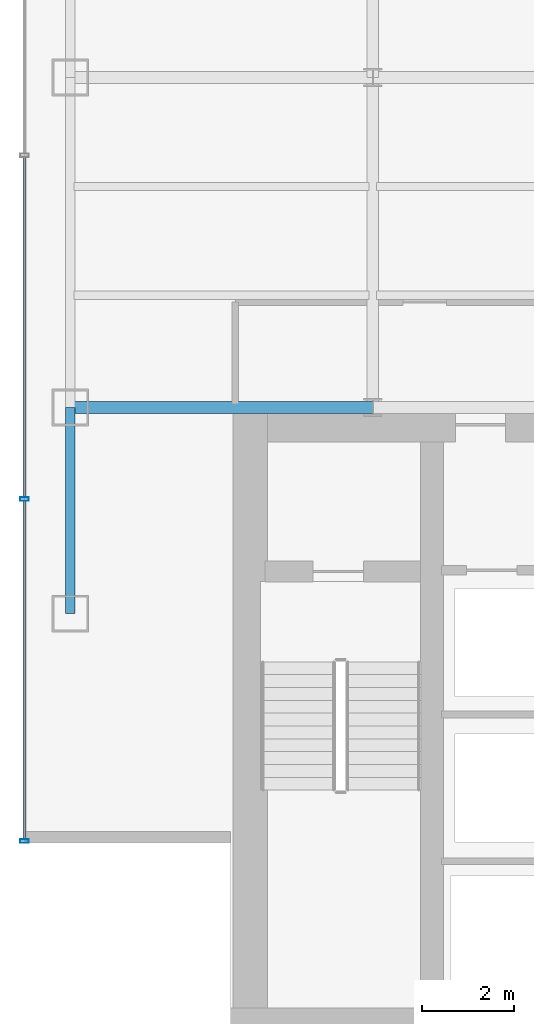
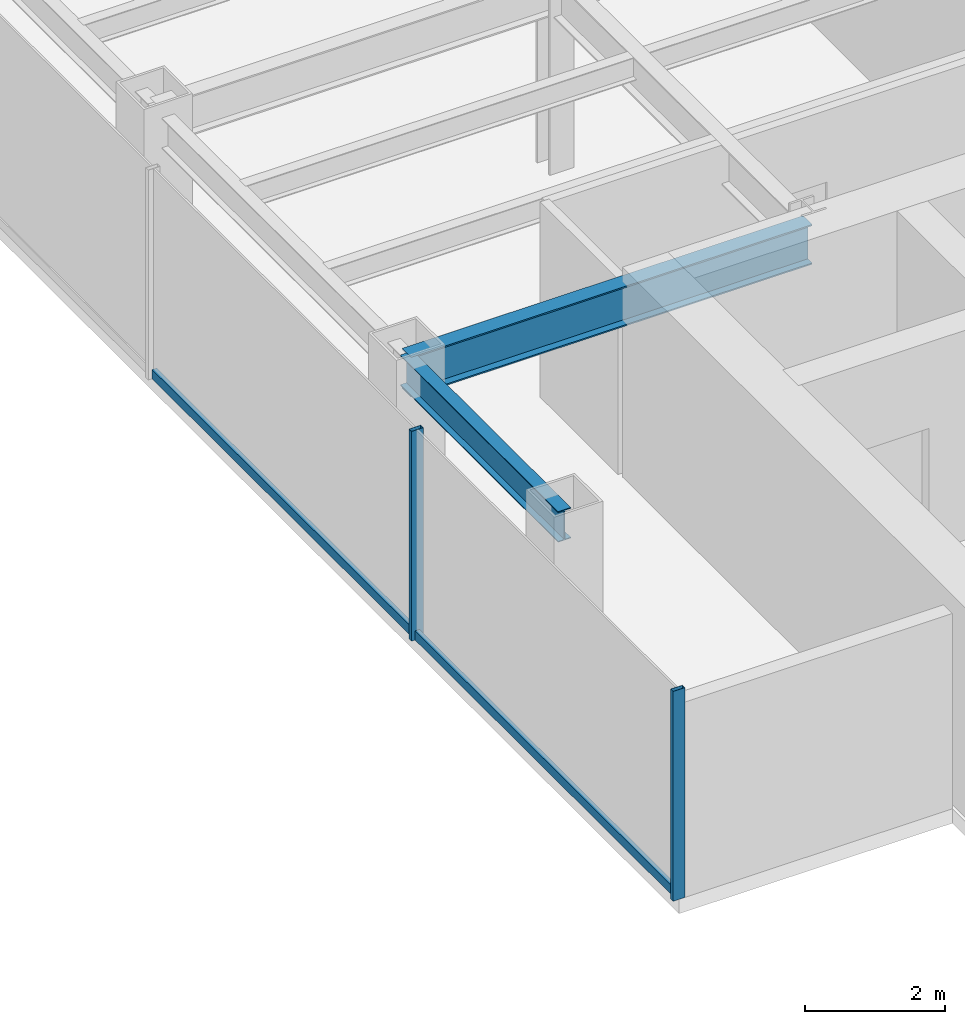
# One storey, part 2 of 26: 4 members, 2 beams, 1 element without a shape of its own.
"""IFC4 building model written with IfcOpenShell, lengths in metres."""

from ifc_helpers import new_model, si_unit, derived_unit, direction, frame, origin, origin_2d, place, context, subcontext, project, spatial, hollow_rectangle, i_section, extrude, source, transform, mapped, material, material_profile, profile_set, type_object, element, aggregate, save


model = new_model("IFC4")

# Units and contexts
model_context = context("Model", 3, precision=1e-05, world=origin(), true_north=direction((0.0, 1.0)))
body_context = subcontext(model_context, "Body", "Model", "MODEL_VIEW")
ifc_project = project(units=[si_unit("LENGTHUNIT", "METRE"), si_unit("AREAUNIT", "SQUARE_METRE"), si_unit("VOLUMEUNIT", "CUBIC_METRE"), si_unit("PLANEANGLEUNIT", "RADIAN"), si_unit("MASSUNIT", "GRAM", prefix="KILO"), derived_unit("THERMALTRANSMITTANCEUNIT", [(si_unit("POWERUNIT", "WATT"), 1), (si_unit("LENGTHUNIT", "METRE"), -2), (si_unit("THERMODYNAMICTEMPERATUREUNIT", "KELVIN"), -1)])], contexts=[model_context])

# Site, building, storey
site_placement = place(None, origin())
site = spatial("IfcSite", under=ifc_project, at=site_placement, CompositionType="ELEMENT")
building_placement = place(site_placement, origin())
building = spatial("IfcBuilding", under=site, at=building_placement, Name="Skarnbrae Concourse Arena and Tower", CompositionType="ELEMENT")
storey_placement = place(building_placement, frame((0.0, 0.0, 99.60009765625)))
storey = spatial("IfcBuildingStorey", under=building, at=storey_placement, Name="L24", CompositionType="ELEMENT", Elevation=99.60009765625)

# Beams
ifc_material_1 = material(Name="Steel CSA G40.21 350W", Category="steel")
ifc_material_profile_1 = material_profile(ifc_material_1, i_section(OverallWidth=0.256103515625, OverallDepth=0.693115234375, WebThickness=0.014404296875, FlangeThickness=0.023681640625, at=origin_2d()), Name="W690X170")
ifc_profile_set_1 = profile_set([ifc_material_profile_1], Name="Steel CSA G40.21 350W")
beam_type_1 = type_object("IfcBeamType", Name="BM-GIRD-W690X170", PredefinedType="BEAM", material=ifc_profile_set_1)
shared_shape_1 = source(origin(), body_context, "Body", "SweptSolid", [
    extrude(i_section(OverallWidth=0.256103515625, OverallDepth=0.693115234375, WebThickness=0.014404296875, FlangeThickness=0.023681640625, at=origin_2d()), origin(), (0.0, 0.0, 1.0), 6.60009765625),
])
beam_1_placement = place(storey_placement, frame((1.0, 14.0, 3.053466796875), z_axis=(1.0, 0.0, 0.0), x_axis=(0.0, 1.0, 0.0)))
element("IfcBeam", 1, at=beam_1_placement, inside=storey, type_object=beam_type_1, Name="L24 Primary E-W girder Y14.0-1", PredefinedType="BEAM", context=body_context, shape_type="MappedRepresentation", body=[
    mapped(shared_shape_1, transform((0.0, 0.0, 0.0))),
])
ifc_material_profile_2 = material_profile(ifc_material_1, i_section(OverallWidth=0.208984375, OverallDepth=0.532958984375, WebThickness=0.01025390625, FlangeThickness=0.015625, at=origin_2d()), Name="W530X92")
ifc_profile_set_2 = profile_set([ifc_material_profile_2], Name="Steel CSA G40.21 350W")
beam_type_2 = type_object("IfcBeamType", Name="BM-SPAN-W530X92", PredefinedType="SPANDREL", material=ifc_profile_set_2)
shared_shape_2 = source(origin(), body_context, "Body", "SweptSolid", [
    extrude(i_section(OverallWidth=0.208984375, OverallDepth=0.532958984375, WebThickness=0.01025390625, FlangeThickness=0.015625, at=origin_2d()), origin(), (0.0, 0.0, 1.0), 4.5),
])
beam_2_placement = place(storey_placement, frame((1.0, 9.5, 3.13330078125), z_axis=(0.0, 1.0, 0.0), x_axis=(-1.0, 0.0, 0.0)))
element("IfcBeam", 2, at=beam_2_placement, inside=storey, type_object=beam_type_2, Name="L24 Perimeter spandrel X1.0-1", PredefinedType="SPANDREL", context=body_context, shape_type="MappedRepresentation", body=[
    mapped(shared_shape_2, transform((0.0, 0.0, 0.0))),
])

# Curtain wall, members
ifc_material_2 = material(Name="Bronze anodised aluminium 6063-T6", Category="aluminium")
curtain_wall_type = type_object("IfcCurtainWallType", Name="CW-SYS-04-MIDZONE", PredefinedType="USERDEFINED", material=ifc_material_2)
curtain_wall_placement = place(storey_placement, origin())
curtain_wall = element("IfcCurtainWall", 3, at=curtain_wall_placement, inside=storey, type_object=curtain_wall_type, Name="L24 Unitised curtain wall CW-L24-E19", ObjectType="UNITISED CURTAIN WALL", PredefinedType="USERDEFINED")
ifc_material_profile_3 = material_profile(ifc_material_2, hollow_rectangle(XDim=0.074951171875, YDim=0.159912109375, WallThickness=0.00439453125, at=origin_2d()), Name="ALU-TRAN-75X160")
ifc_profile_set_3 = profile_set([ifc_material_profile_3], Name="Bronze anodised aluminium 6063-T6")
member_type_1 = type_object("IfcMemberType", Name="CWT-CW-04", PredefinedType="USERDEFINED", material=ifc_profile_set_3)
shared_shape_3 = source(origin(), body_context, "Body", "SweptSolid", [
    extrude(hollow_rectangle(XDim=0.074951171875, YDim=0.159912109375, WallThickness=0.00439453125, at=origin_2d()), origin(), (0.0, 0.0, 1.0), 7.387451171875),
])
member_1_placement = place(storey_placement, frame((0.0, 11.96240234375, 0.079833984375), z_axis=(0.0, -1.0, 0.0), x_axis=(1.0, 0.0, 0.0)))
member_1 = element("IfcMember", 4, at=member_1_placement, type_object=member_type_1, Name="CW-L24-E19 Transom 4", ObjectType="TRANSOM", PredefinedType="USERDEFINED", context=body_context, shape_type="MappedRepresentation", body=[
    mapped(shared_shape_3, transform((0.0, 0.0, 0.0))),
])
shared_shape_4 = source(origin(), body_context, "Body", "SweptSolid", [
    extrude(hollow_rectangle(XDim=0.074951171875, YDim=0.159912109375, WallThickness=0.00439453125, at=origin_2d()), origin(), (0.0, 0.0, 1.0), 7.4248046875),
])
member_2_placement = place(storey_placement, frame((0.0, 19.46240234375, 0.079833984375), z_axis=(0.0, -1.0, 0.0), x_axis=(1.0, 0.0, 0.0)))
member_2 = element("IfcMember", 5, at=member_2_placement, type_object=member_type_1, Name="CW-L24-E19 Transom 3", ObjectType="TRANSOM", PredefinedType="USERDEFINED", context=body_context, shape_type="MappedRepresentation", body=[
    mapped(shared_shape_4, transform((0.0, 0.0, 0.0))),
])
ifc_material_profile_4 = material_profile(ifc_material_2, hollow_rectangle(XDim=0.074951171875, YDim=0.195068359375, WallThickness=0.00439453125, at=origin_2d()), Name="ALU-MULL-75X195")
ifc_profile_set_4 = profile_set([ifc_material_profile_4], Name="Bronze anodised aluminium 6063-T6")
member_type_2 = type_object("IfcMemberType", Name="CWM-CW-04", PredefinedType="MULLION", material=ifc_profile_set_4)
shared_shape_5 = source(origin(), body_context, "Body", "SweptSolid", [
    extrude(hollow_rectangle(XDim=0.074951171875, YDim=0.195068359375, WallThickness=0.00439453125, at=origin_2d()), origin(), (0.0, 0.0, 1.0), 3.64990234375),
])
member_3_placement = place(storey_placement, frame((0.0, 12.0, 0.0), z_axis=(0.0, 0.0, 1.0), x_axis=(0.0, -1.0, 0.0)))
member_3 = element("IfcMember", 6, at=member_3_placement, type_object=member_type_2, Name="CW-L24-E19 Mullion 4", PredefinedType="MULLION", context=body_context, shape_type="MappedRepresentation", body=[
    mapped(shared_shape_5, transform((0.0, 0.0, 0.0))),
])
member_4_placement = place(storey_placement, frame((0.0, 4.53759765625, 0.0), z_axis=(0.0, 0.0, 1.0), x_axis=(0.0, -1.0, 0.0)))
member_4 = element("IfcMember", 7, at=member_4_placement, type_object=member_type_2, Name="CW-L24-E19 Mullion 5", PredefinedType="MULLION", context=body_context, shape_type="MappedRepresentation", body=[
    mapped(shared_shape_5, transform((0.0, 0.0, 0.0))),
])
aggregate(curtain_wall, [member_3, member_4, member_2, member_1])

save(model, "model.ifc")
